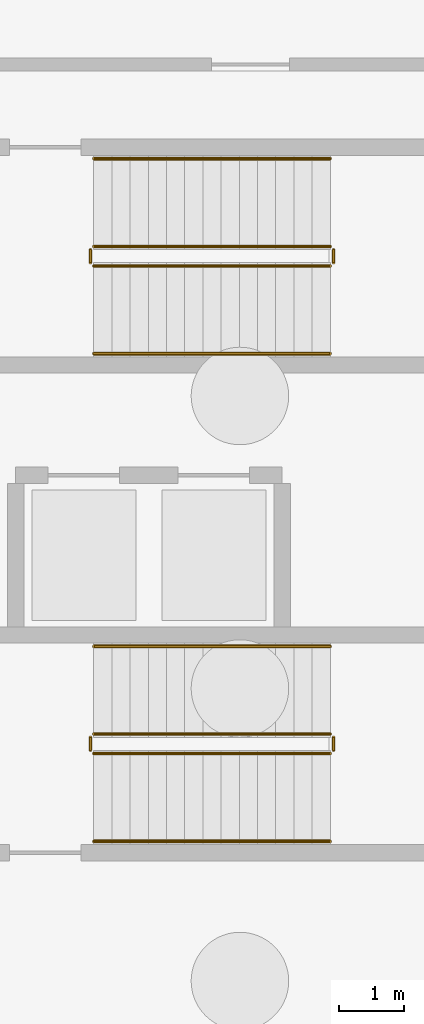
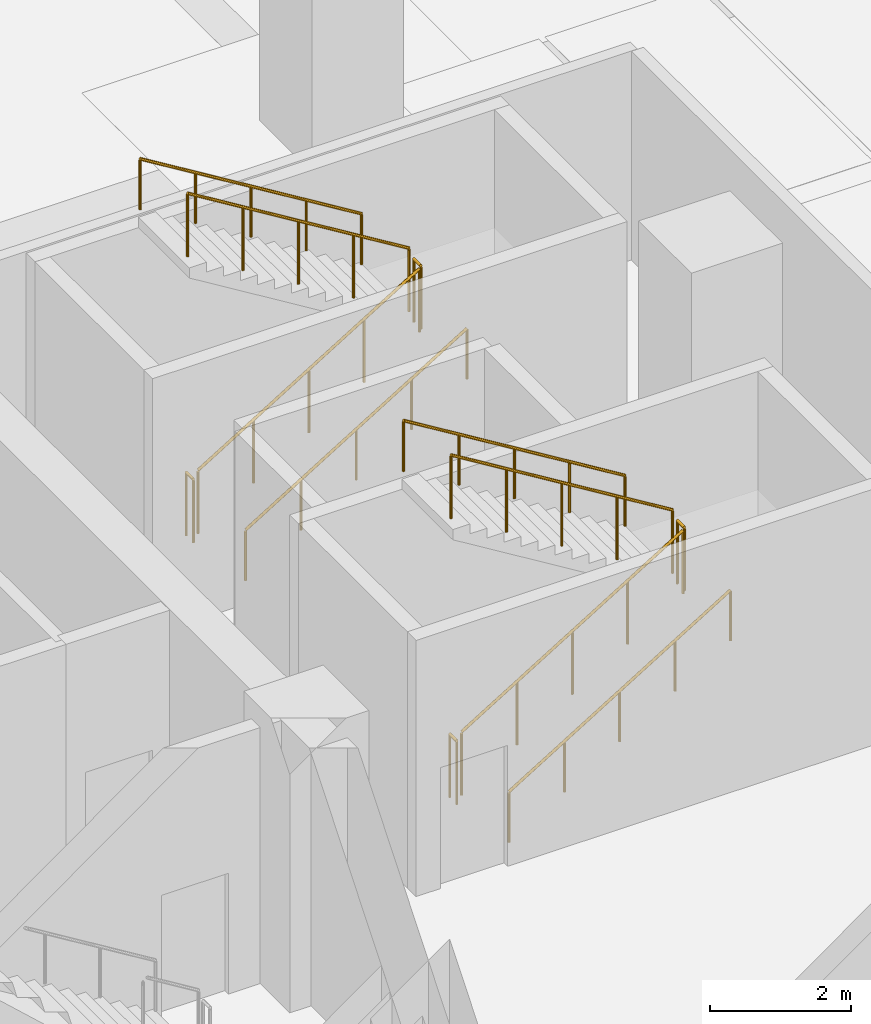
# One storey, part 7 of 9: 12 railings.
"""IFC4 building model written with IfcOpenShell, lengths in metres."""

import ifcopenshell
import ifcopenshell.guid

model = None  # the IFC model being written
_history = None  # IfcOwnerHistory: only IFC2X3 demands one
_inside = {}  # id of a spatial element -> (the spatial element, [elements in it])
_under = {}  # id of a project, library or spatial element -> (it, [spatial elements below it])
_declared = {}  # id of a project -> (the project, [libraries it declares])
_typed = {}  # id of a type object -> (the type object, [elements of that type])
_made_of = {}  # id of a material, layer set ... -> (it, [elements and type objects made of it])


def new_model(schema):
    """Start an empty IFC model of exactly this schema.

    Asked for "IFC4X3", IfcOpenShell would pick the latest addendum, in which some entities
    have other attributes; the version numbers below select the first issue.
    IFC2X3 requires an IfcOwnerHistory on every rooted entity: one is made here for all.
    """
    global model, _history
    if schema == "IFC4X3":
        model = ifcopenshell.file(schema_version=(4, 3, 0, 0))
    else:
        model = ifcopenshell.file(schema=schema)
    _inside.clear()
    _under.clear()
    _declared.clear()
    _typed.clear()
    _made_of.clear()
    _history = None
    if model.schema == "IFC2X3":
        org = make("IfcOrganization", Name="unknown")
        user = make(
            "IfcPersonAndOrganization",
            ThePerson=make("IfcPerson", FamilyName="unknown"),
            TheOrganization=org,
        )
        app = make(
            "IfcApplication",
            ApplicationDeveloper=org,
            Version="unknown",
            ApplicationFullName="unknown",
            ApplicationIdentifier="unknown",
        )
        _history = make(
            "IfcOwnerHistory",
            OwningUser=user,
            OwningApplication=app,
            ChangeAction="ADDED",
            CreationDate=0,
        )
    return model


def make(cls, **values):
    """One entity of the class cls with the attributes given. An attribute that is None is left unset."""
    return model.create_entity(
        cls, **{name: value for name, value in values.items() if value is not None}
    )


def rooted(cls, **values):
    """An entity with a GlobalId (a new one), such as an element, a storey or a relation."""
    return make(cls, GlobalId=ifcopenshell.guid.new(), OwnerHistory=_history, **values)


def si_unit(unit_type, name, prefix=None):
    """IfcSIUnit, for example si_unit("LENGTHUNIT", "METRE", prefix="MILLI")."""
    return make("IfcSIUnit", UnitType=unit_type, Prefix=prefix, Name=name)


def assignment(units):
    """IfcUnitAssignment: the units of a project."""
    return None if units is None else make("IfcUnitAssignment", Units=units)


def point(xyz):
    """IfcCartesianPoint."""
    return None if xyz is None else make("IfcCartesianPoint", Coordinates=xyz)


def direction(xyz):
    """IfcDirection."""
    return None if xyz is None else make("IfcDirection", DirectionRatios=xyz)


def frame(location, z_axis=None, x_axis=None):
    """IfcAxis2Placement3D, a coordinate frame: its origin and axes. An axis left out is left unset."""
    return make(
        "IfcAxis2Placement3D",
        Location=point(location),
        Axis=direction(z_axis),
        RefDirection=direction(x_axis),
    )


def frame_2d(location, x_axis=None):
    """IfcAxis2Placement2D, a coordinate frame in the plane: its origin and x axis."""
    return make(
        "IfcAxis2Placement2D", Location=point(location), RefDirection=direction(x_axis)
    )


def origin():
    """The frame at (0, 0, 0) with its axes left unset."""
    return frame((0.0, 0.0, 0.0))


def origin_2d():
    """The frame at (0, 0) in the plane with its x axis left unset."""
    return frame_2d((0.0, 0.0))


def place(relative_to, where):
    """IfcLocalPlacement: puts the frame where relative to a parent placement (None: the world)."""
    return make(
        "IfcLocalPlacement", PlacementRelTo=relative_to, RelativePlacement=where
    )


def context(
    kind, dimensions, precision=None, world=None, true_north=None, identifier=None
):
    """IfcGeometricRepresentationContext, for example the 3D "Model" context."""
    return make(
        "IfcGeometricRepresentationContext",
        ContextIdentifier=identifier,
        ContextType=kind,
        CoordinateSpaceDimension=dimensions,
        Precision=precision,
        WorldCoordinateSystem=world,
        TrueNorth=true_north,
    )


def subcontext(parent, identifier, kind, view, scale=None):
    """IfcGeometricRepresentationSubContext, for example "Body" below "Model"."""
    return make(
        "IfcGeometricRepresentationSubContext",
        ContextIdentifier=identifier,
        ContextType=kind,
        ParentContext=parent,
        TargetScale=scale,
        TargetView=view,
    )


def project(units=None, contexts=None):
    """IfcProject with its units and contexts."""
    return rooted(
        "IfcProject",
        Name="project",
        RepresentationContexts=contexts,
        UnitsInContext=assignment(units),
    )


def spatial(cls, under=None, at=None, **own):
    """A site, building, storey or space (cls), placed at a placement, below another one or the project."""
    s = rooted(cls, ObjectPlacement=at, **own)
    if under is not None:
        _under.setdefault(under.id(), (under, []))[1].append(s)
    return s


def profile(cls, at=None, kind="AREA", **sizes):
    """A parametric profile (cls). Its sizes go by their IFC names, for example OverallWidth=200.0."""
    return make(cls, ProfileType=kind, Position=at, **sizes)


def circle(**sizes):
    """IfcCircleProfileDef."""
    return profile("IfcCircleProfileDef", **sizes)


def extrude(swept, where, along, depth):
    """IfcExtrudedAreaSolid: the profile swept, set in the frame where, extruded along a direction by depth."""
    return make(
        "IfcExtrudedAreaSolid",
        SweptArea=swept,
        Position=where,
        ExtrudedDirection=direction(along),
        Depth=depth,
    )


def shape(context_of_items, identifier, shape_type, items):
    """IfcShapeRepresentation: the items that make up one representation, for example the "Body"."""
    return make(
        "IfcShapeRepresentation",
        ContextOfItems=context_of_items,
        RepresentationIdentifier=identifier,
        RepresentationType=shape_type,
        Items=items,
    )


def material(Name=None, Category=None):
    """IfcMaterial."""
    return make("IfcMaterial", Name=Name, Category=Category)


def made_of(thing, what):
    """Note that an element or type object is made of a material, layer set ...; save() writes the relation."""
    if what is not None:
        _made_of.setdefault(what.id(), (what, []))[1].append(thing)
    return thing


def type_object(cls, material=None, **own):
    """A type object (cls), such as IfcWallType, which elements share."""
    return made_of(rooted(cls, **own), material)


def element(
    cls,
    number,
    at=None,
    inside=None,
    cuts=None,
    type_object=None,
    material=None,
    context=None,
    identifier="Body",
    shape_type=None,
    held_by="IfcProductDefinitionShape",
    body=None,
    shapes=None,
    **own,
):
    """One element of the class cls, such as IfcWall. Its Tag is "e" and its number.

    at: its placement. inside: the storey or other place that contains it. cuts: it is an
    opening in that element (IfcRelVoidsElement). A single representation is given by context,
    identifier, shape_type and body (its items); several are given by shapes. held_by: the class
    of the entity that holds the representations. save() writes the other relations.
    """
    e = rooted(cls, Tag="e%d" % number, ObjectPlacement=at, **own)
    if body is not None:
        shapes = [shape(context, identifier, shape_type, body)]
    if shapes is not None:
        e.Representation = make(held_by, Representations=shapes)
    if inside is not None:
        _inside.setdefault(inside.id(), (inside, []))[1].append(e)
    if cuts is not None:
        rooted(
            "IfcRelVoidsElement", RelatingBuildingElement=cuts, RelatedOpeningElement=e
        )
    if type_object is not None:
        _typed.setdefault(type_object.id(), (type_object, []))[1].append(e)
    return made_of(e, material)


def aggregate(whole, parts):
    """IfcRelAggregates: a whole, such as a stair, and the parts it consists of."""
    return rooted("IfcRelAggregates", RelatingObject=whole, RelatedObjects=parts)


def save(model, path):
    """Write the relations noted so far, then the file.

    IfcRelAggregates (storeys below a building ...), IfcRelContainedInSpatialStructure (elements
    in a storey), IfcRelDefinesByType, IfcRelAssociatesMaterial and IfcRelDeclares: one each for
    every whole, place, type object, material and project.
    """
    for whole, parts in _under.values():
        aggregate(whole, parts)
    for where, things in _inside.values():
        rooted(
            "IfcRelContainedInSpatialStructure",
            RelatedElements=things,
            RelatingStructure=where,
        )
    for kind, things in _typed.values():
        rooted("IfcRelDefinesByType", RelatedObjects=things, RelatingType=kind)
    for what, things in _made_of.values():
        rooted("IfcRelAssociatesMaterial", RelatedObjects=things, RelatingMaterial=what)
    for by, libraries in _declared.values():
        rooted("IfcRelDeclares", RelatingContext=by, RelatedDefinitions=libraries)
    model.write(path)


model = new_model("IFC4")

# Units and contexts
model_context = context("Model", 3, precision=1e-05, world=origin(), true_north=direction((0.0, 1.0)))
body_context = subcontext(model_context, "Body", "Model", "MODEL_VIEW")
ifc_project = project(units=[si_unit("LENGTHUNIT", "METRE"), si_unit("AREAUNIT", "SQUARE_METRE"), si_unit("VOLUMEUNIT", "CUBIC_METRE"), si_unit("PLANEANGLEUNIT", "RADIAN"), si_unit("MASSUNIT", "GRAM", prefix="KILO")], contexts=[model_context])

# Site, building, storey
site_placement = place(None, origin())
site = spatial("IfcSite", under=ifc_project, at=site_placement, CompositionType="ELEMENT")
building_placement = place(site_placement, origin())
building = spatial("IfcBuilding", under=site, at=building_placement, Name="Solnavia Interchange Tower", CompositionType="ELEMENT")
storey_placement = place(building_placement, frame((0.0, 0.0, -9.60009765625)))
storey = spatial("IfcBuildingStorey", under=building, at=storey_placement, Name="B02", CompositionType="ELEMENT", Elevation=-9.60009765625)

# Railings
ifc_material_1 = material(Name="Painted Steel Balustrade", Category="steel")
railing_type_1 = type_object("IfcRailingType", Name="Railing-StairGuard-1100", PredefinedType="GUARDRAIL", material=ifc_material_1)
railing_1_placement = place(storey_placement, frame((36.449951171875, 17.0, 0.171630859375)))
element("IfcRailing", 1, at=railing_1_placement, inside=storey, type_object=railing_type_1, Name="B02 ST-P1 stair guard 1", PredefinedType="GUARDRAIL", context=body_context, shape_type="SweptSolid", body=[
    extrude(circle(Radius=0.02392578125, at=origin_2d()), frame((0.0, 0.0, 1.09619140625), z_axis=(0.852865859571, 0.0, 0.52213008492), x_axis=(0.0, 1.0, 0.0)), (0.0, 0.0, 1.0), 4.26806640625),
    extrude(circle(Radius=0.02099609375, at=origin_2d()), origin(), (0.0, 0.0, 1.0), 1.072021484375),
    extrude(circle(Radius=0.02099609375, at=origin_2d()), frame((0.91015625, 0.0, 0.55712890625)), (0.0, 0.0, 1.0), 1.072021484375),
    extrude(circle(Radius=0.02099609375, at=origin_2d()), frame((1.820068359375, 0.0, 1.1142578125)), (0.0, 0.0, 1.0), 1.072021484375),
    extrude(circle(Radius=0.02099609375, at=origin_2d()), frame((2.72998046875, 0.0, 1.67138671875)), (0.0, 0.0, 1.0), 1.072021484375),
    extrude(circle(Radius=0.02099609375, at=origin_2d()), frame((3.64013671875, 0.0, 2.228515625)), (0.0, 0.0, 1.0), 1.072021484375),
])
railing_2_placement = place(storey_placement, frame((40.139892578125, 17.050048828125, 2.400146484375)))
element("IfcRailing", 2, at=railing_2_placement, inside=storey, type_object=railing_type_1, Name="B02 ST-P1 stair guard 2", PredefinedType="GUARDRAIL", context=body_context, shape_type="SweptSolid", body=[
    extrude(circle(Radius=0.02392578125, at=origin_2d()), frame((0.0, 0.0, 1.09619140625), z_axis=(0.0, 1.0, 0.0), x_axis=(-1.0, 0.0, 0.0)), (0.0, 0.0, 1.0), 0.199951171875),
    extrude(circle(Radius=0.02099609375, at=origin_2d()), origin(), (0.0, 0.0, 1.0), 1.072021484375),
    extrude(circle(Radius=0.02099609375, at=origin_2d()), frame((0.0, 0.199951171875, 0.0)), (0.0, 0.0, 1.0), 1.072021484375),
])
railing_3_placement = place(storey_placement, frame((40.090087890625, 17.300048828125, 2.571533203125)))
element("IfcRailing", 3, at=railing_3_placement, inside=storey, type_object=railing_type_1, Name="B02 ST-P1 stair guard 3", PredefinedType="GUARDRAIL", context=body_context, shape_type="SweptSolid", body=[
    extrude(circle(Radius=0.02392578125, at=origin_2d()), frame((0.0, 0.0, 1.09619140625), z_axis=(-0.852865859571, 0.0, 0.52213008492), x_axis=(0.0, -1.0, 0.0)), (0.0, 0.0, 1.0), 4.26806640625),
    extrude(circle(Radius=0.02099609375, at=origin_2d()), origin(), (0.0, 0.0, 1.0), 1.072021484375),
    extrude(circle(Radius=0.02099609375, at=origin_2d()), frame((-0.91015625, 0.0, 0.55712890625)), (0.0, 0.0, 1.0), 1.072021484375),
    extrude(circle(Radius=0.02099609375, at=origin_2d()), frame((-1.820068359375, 0.0, 1.1142578125)), (0.0, 0.0, 1.0), 1.072021484375),
    extrude(circle(Radius=0.02099609375, at=origin_2d()), frame((-2.72998046875, 0.0, 1.67138671875)), (0.0, 0.0, 1.0), 1.072021484375),
    extrude(circle(Radius=0.02099609375, at=origin_2d()), frame((-3.64013671875, 0.0, 2.228515625)), (0.0, 0.0, 1.0), 1.072021484375),
])
railing_4_placement = place(storey_placement, frame((36.39990234375, 17.050048828125, 0.0)))
element("IfcRailing", 4, at=railing_4_placement, inside=storey, type_object=railing_type_1, Name="B02 ST-P1 stair guard 4", PredefinedType="GUARDRAIL", context=body_context, shape_type="SweptSolid", body=[
    extrude(circle(Radius=0.02392578125, at=origin_2d()), frame((0.0, 0.0, 1.09619140625), z_axis=(0.0, 1.0, 0.0), x_axis=(-1.0, 0.0, 0.0)), (0.0, 0.0, 1.0), 0.199951171875),
    extrude(circle(Radius=0.02099609375, at=origin_2d()), origin(), (0.0, 0.0, 1.0), 1.072021484375),
    extrude(circle(Radius=0.02099609375, at=origin_2d()), frame((0.0, 0.199951171875, 0.0)), (0.0, 0.0, 1.0), 1.072021484375),
])
railing_5_placement = place(storey_placement, frame((36.449951171875, 24.5, 0.171630859375)))
element("IfcRailing", 5, at=railing_5_placement, inside=storey, type_object=railing_type_1, Name="B02 ST-P2 stair guard 1", PredefinedType="GUARDRAIL", context=body_context, shape_type="SweptSolid", body=[
    extrude(circle(Radius=0.02392578125, at=origin_2d()), frame((0.0, 0.0, 1.09619140625), z_axis=(0.852865859571, 0.0, 0.52213008492), x_axis=(0.0, 1.0, 0.0)), (0.0, 0.0, 1.0), 4.26806640625),
    extrude(circle(Radius=0.02099609375, at=origin_2d()), origin(), (0.0, 0.0, 1.0), 1.072021484375),
    extrude(circle(Radius=0.02099609375, at=origin_2d()), frame((0.91015625, 0.0, 0.55712890625)), (0.0, 0.0, 1.0), 1.072021484375),
    extrude(circle(Radius=0.02099609375, at=origin_2d()), frame((1.820068359375, 0.0, 1.1142578125)), (0.0, 0.0, 1.0), 1.072021484375),
    extrude(circle(Radius=0.02099609375, at=origin_2d()), frame((2.72998046875, 0.0, 1.67138671875)), (0.0, 0.0, 1.0), 1.072021484375),
    extrude(circle(Radius=0.02099609375, at=origin_2d()), frame((3.64013671875, 0.0, 2.228515625)), (0.0, 0.0, 1.0), 1.072021484375),
])
railing_6_placement = place(storey_placement, frame((40.139892578125, 24.550048828125, 2.400146484375)))
element("IfcRailing", 6, at=railing_6_placement, inside=storey, type_object=railing_type_1, Name="B02 ST-P2 stair guard 2", PredefinedType="GUARDRAIL", context=body_context, shape_type="SweptSolid", body=[
    extrude(circle(Radius=0.02392578125, at=origin_2d()), frame((0.0, 0.0, 1.09619140625), z_axis=(0.0, 1.0, 0.0), x_axis=(-1.0, 0.0, 0.0)), (0.0, 0.0, 1.0), 0.199951171875),
    extrude(circle(Radius=0.02099609375, at=origin_2d()), origin(), (0.0, 0.0, 1.0), 1.072021484375),
    extrude(circle(Radius=0.02099609375, at=origin_2d()), frame((0.0, 0.199951171875, 0.0)), (0.0, 0.0, 1.0), 1.072021484375),
])
railing_7_placement = place(storey_placement, frame((40.090087890625, 24.800048828125, 2.571533203125)))
element("IfcRailing", 7, at=railing_7_placement, inside=storey, type_object=railing_type_1, Name="B02 ST-P2 stair guard 3", PredefinedType="GUARDRAIL", context=body_context, shape_type="SweptSolid", body=[
    extrude(circle(Radius=0.02392578125, at=origin_2d()), frame((0.0, 0.0, 1.09619140625), z_axis=(-0.852865859571, 0.0, 0.52213008492), x_axis=(0.0, -1.0, 0.0)), (0.0, 0.0, 1.0), 4.26806640625),
    extrude(circle(Radius=0.02099609375, at=origin_2d()), origin(), (0.0, 0.0, 1.0), 1.072021484375),
    extrude(circle(Radius=0.02099609375, at=origin_2d()), frame((-0.91015625, 0.0, 0.55712890625)), (0.0, 0.0, 1.0), 1.072021484375),
    extrude(circle(Radius=0.02099609375, at=origin_2d()), frame((-1.820068359375, 0.0, 1.1142578125)), (0.0, 0.0, 1.0), 1.072021484375),
    extrude(circle(Radius=0.02099609375, at=origin_2d()), frame((-2.72998046875, 0.0, 1.67138671875)), (0.0, 0.0, 1.0), 1.072021484375),
    extrude(circle(Radius=0.02099609375, at=origin_2d()), frame((-3.64013671875, 0.0, 2.228515625)), (0.0, 0.0, 1.0), 1.072021484375),
])
railing_8_placement = place(storey_placement, frame((36.39990234375, 24.550048828125, 0.0)))
element("IfcRailing", 8, at=railing_8_placement, inside=storey, type_object=railing_type_1, Name="B02 ST-P2 stair guard 4", PredefinedType="GUARDRAIL", context=body_context, shape_type="SweptSolid", body=[
    extrude(circle(Radius=0.02392578125, at=origin_2d()), frame((0.0, 0.0, 1.09619140625), z_axis=(0.0, 1.0, 0.0), x_axis=(-1.0, 0.0, 0.0)), (0.0, 0.0, 1.0), 0.199951171875),
    extrude(circle(Radius=0.02099609375, at=origin_2d()), origin(), (0.0, 0.0, 1.0), 1.072021484375),
    extrude(circle(Radius=0.02099609375, at=origin_2d()), frame((0.0, 0.199951171875, 0.0)), (0.0, 0.0, 1.0), 1.072021484375),
])
ifc_material_2 = material(Name="Brushed Stainless Steel", Category="steel")
railing_type_2 = type_object("IfcRailingType", Name="Railing-StairHandrail-900", PredefinedType="HANDRAIL", material=ifc_material_2)
railing_9_placement = place(storey_placement, frame((36.449951171875, 15.64990234375, 0.171630859375)))
element("IfcRailing", 9, at=railing_9_placement, inside=storey, type_object=railing_type_2, Name="B02 ST-P1 stair handrail 1", PredefinedType="HANDRAIL", context=body_context, shape_type="SweptSolid", body=[
    extrude(circle(Radius=0.02392578125, at=origin_2d()), frame((0.0, 0.0, 0.8759765625), z_axis=(0.852865859571, 0.0, 0.52213008492), x_axis=(0.0, 1.0, 0.0)), (0.0, 0.0, 1.0), 4.26806640625),
    extrude(circle(Radius=0.02099609375, at=origin_2d()), origin(), (0.0, 0.0, 1.0), 0.851806640625),
    extrude(circle(Radius=0.02099609375, at=origin_2d()), frame((0.91015625, 0.0, 0.55712890625)), (0.0, 0.0, 1.0), 0.851806640625),
    extrude(circle(Radius=0.02099609375, at=origin_2d()), frame((1.820068359375, 0.0, 1.1142578125)), (0.0, 0.0, 1.0), 0.851806640625),
    extrude(circle(Radius=0.02099609375, at=origin_2d()), frame((2.72998046875, 0.0, 1.67138671875)), (0.0, 0.0, 1.0), 0.851806640625),
    extrude(circle(Radius=0.02099609375, at=origin_2d()), frame((3.64013671875, 0.0, 2.228515625)), (0.0, 0.0, 1.0), 0.851806640625),
])
railing_10_placement = place(storey_placement, frame((40.090087890625, 18.64990234375, 2.571533203125)))
element("IfcRailing", 10, at=railing_10_placement, inside=storey, type_object=railing_type_2, Name="B02 ST-P1 stair handrail 2", PredefinedType="HANDRAIL", context=body_context, shape_type="SweptSolid", body=[
    extrude(circle(Radius=0.02392578125, at=origin_2d()), frame((0.0, 0.0, 0.8759765625), z_axis=(-0.852865859571, 0.0, 0.52213008492), x_axis=(0.0, -1.0, 0.0)), (0.0, 0.0, 1.0), 4.26806640625),
    extrude(circle(Radius=0.02099609375, at=origin_2d()), origin(), (0.0, 0.0, 1.0), 0.851806640625),
    extrude(circle(Radius=0.02099609375, at=origin_2d()), frame((-0.91015625, 0.0, 0.55712890625)), (0.0, 0.0, 1.0), 0.851806640625),
    extrude(circle(Radius=0.02099609375, at=origin_2d()), frame((-1.820068359375, 0.0, 1.1142578125)), (0.0, 0.0, 1.0), 0.851806640625),
    extrude(circle(Radius=0.02099609375, at=origin_2d()), frame((-2.72998046875, 0.0, 1.67138671875)), (0.0, 0.0, 1.0), 0.851806640625),
    extrude(circle(Radius=0.02099609375, at=origin_2d()), frame((-3.64013671875, 0.0, 2.228515625)), (0.0, 0.0, 1.0), 0.851806640625),
])
railing_11_placement = place(storey_placement, frame((36.449951171875, 23.14990234375, 0.171630859375)))
element("IfcRailing", 11, at=railing_11_placement, inside=storey, type_object=railing_type_2, Name="B02 ST-P2 stair handrail 1", PredefinedType="HANDRAIL", context=body_context, shape_type="SweptSolid", body=[
    extrude(circle(Radius=0.02392578125, at=origin_2d()), frame((0.0, 0.0, 0.8759765625), z_axis=(0.852865859571, 0.0, 0.52213008492), x_axis=(0.0, 1.0, 0.0)), (0.0, 0.0, 1.0), 4.26806640625),
    extrude(circle(Radius=0.02099609375, at=origin_2d()), origin(), (0.0, 0.0, 1.0), 0.851806640625),
    extrude(circle(Radius=0.02099609375, at=origin_2d()), frame((0.91015625, 0.0, 0.55712890625)), (0.0, 0.0, 1.0), 0.851806640625),
    extrude(circle(Radius=0.02099609375, at=origin_2d()), frame((1.820068359375, 0.0, 1.1142578125)), (0.0, 0.0, 1.0), 0.851806640625),
    extrude(circle(Radius=0.02099609375, at=origin_2d()), frame((2.72998046875, 0.0, 1.67138671875)), (0.0, 0.0, 1.0), 0.851806640625),
    extrude(circle(Radius=0.02099609375, at=origin_2d()), frame((3.64013671875, 0.0, 2.228515625)), (0.0, 0.0, 1.0), 0.851806640625),
])
railing_12_placement = place(storey_placement, frame((40.090087890625, 26.14990234375, 2.571533203125)))
element("IfcRailing", 12, at=railing_12_placement, inside=storey, type_object=railing_type_2, Name="B02 ST-P2 stair handrail 2", PredefinedType="HANDRAIL", context=body_context, shape_type="SweptSolid", body=[
    extrude(circle(Radius=0.02392578125, at=origin_2d()), frame((0.0, 0.0, 0.8759765625), z_axis=(-0.852865859571, 0.0, 0.52213008492), x_axis=(0.0, -1.0, 0.0)), (0.0, 0.0, 1.0), 4.26806640625),
    extrude(circle(Radius=0.02099609375, at=origin_2d()), origin(), (0.0, 0.0, 1.0), 0.851806640625),
    extrude(circle(Radius=0.02099609375, at=origin_2d()), frame((-0.91015625, 0.0, 0.55712890625)), (0.0, 0.0, 1.0), 0.851806640625),
    extrude(circle(Radius=0.02099609375, at=origin_2d()), frame((-1.820068359375, 0.0, 1.1142578125)), (0.0, 0.0, 1.0), 0.851806640625),
    extrude(circle(Radius=0.02099609375, at=origin_2d()), frame((-2.72998046875, 0.0, 1.67138671875)), (0.0, 0.0, 1.0), 0.851806640625),
    extrude(circle(Radius=0.02099609375, at=origin_2d()), frame((-3.64013671875, 0.0, 2.228515625)), (0.0, 0.0, 1.0), 0.851806640625),
])

save(model, "model.ifc")
